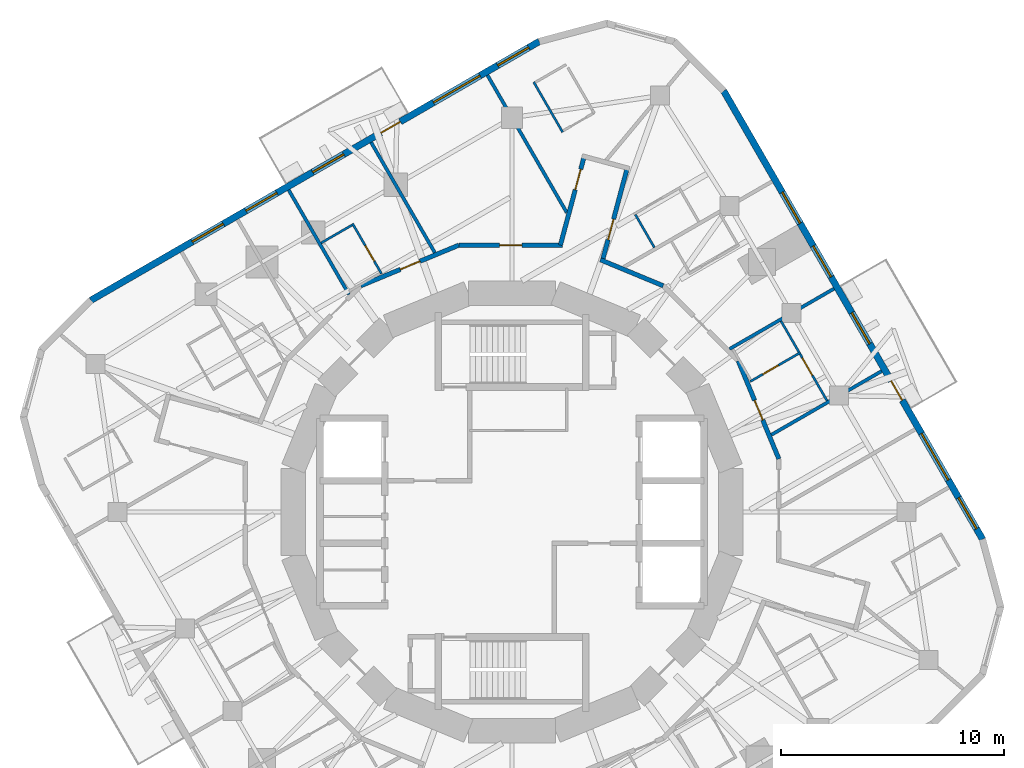
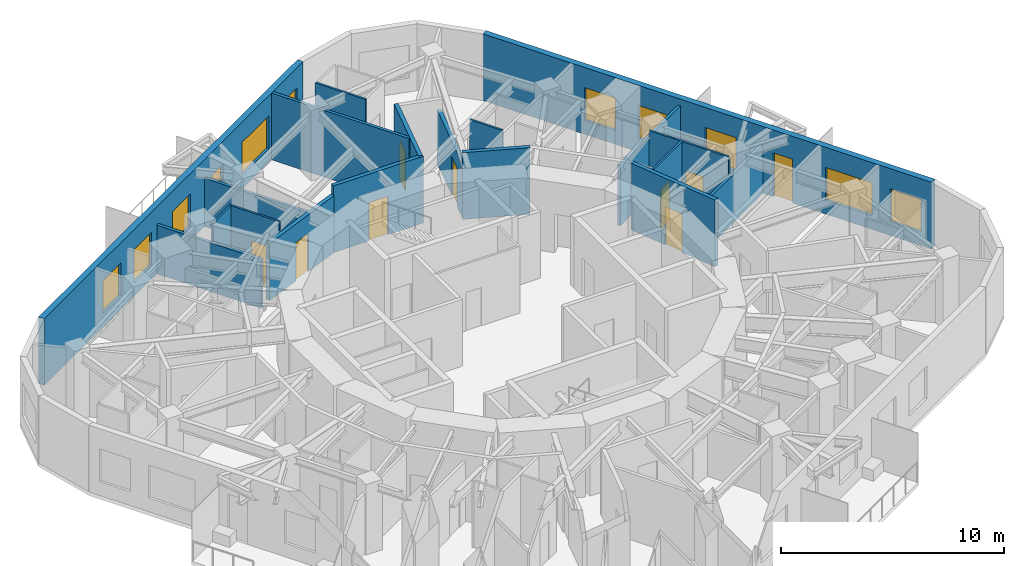
# One storey, part 8 of 11: 20 walls, 10 doors, 10 windows, 20 openings.
"""IFC4 building model written with IfcOpenShell, lengths in metres."""

from ifc_helpers import new_model, si_unit, direction, frame, frame_2d, origin, place, context, subcontext, project, spatial, rectangle, extrude, material, layer, layer_set, type_object, element, fill, save


model = new_model("IFC4")

# Units and contexts
model_context = context("Model", 3, precision=1e-05, world=origin(), true_north=direction((0.0, 1.0)))
body_context = subcontext(model_context, "Body", "Model", "MODEL_VIEW")
ifc_project = project(units=[si_unit("LENGTHUNIT", "METRE"), si_unit("AREAUNIT", "SQUARE_METRE"), si_unit("VOLUMEUNIT", "CUBIC_METRE"), si_unit("PLANEANGLEUNIT", "RADIAN"), si_unit("MASSUNIT", "GRAM", prefix="KILO")], contexts=[model_context])

# Site, building, storey
site_placement = place(None, origin())
site = spatial("IfcSite", under=ifc_project, at=site_placement, CompositionType="ELEMENT")
building_placement = place(site_placement, origin())
building = spatial("IfcBuilding", under=site, at=building_placement, Name="Nakasero Lantern House", CompositionType="ELEMENT")
storey_placement = place(building_placement, frame((0.0, 0.0, 246.199951171875)))
storey = spatial("IfcBuildingStorey", under=building, at=storey_placement, Name="L60", CompositionType="ELEMENT", Elevation=246.199951171875)

# Wall, opening, door
ifc_material_1 = material(Name="Blockwork", Category="masonry")
ifc_layer_1 = layer(ifc_material_1, 0.199951171875)
ifc_layer_set_1 = layer_set([ifc_layer_1], Name="Corridor wall 200")
wall_type_1 = type_object("IfcWallType", Name="Corridor wall 200", PredefinedType="PARTITIONING", material=ifc_layer_set_1)
wall_1_placement = place(storey_placement, frame((-6.773681640625, 10.137451171875, 0.0), z_axis=(0.0, 0.0, 1.0), x_axis=(0.923891735412, 0.382653970627, 0.0)))
wall_1 = element("IfcWall", 1, at=wall_1_placement, inside=storey, type_object=wall_type_1, Name="Corridor wall L60 RC11a", PredefinedType="PARTITIONING", context=body_context, shape_type="SweptSolid", body=[
    extrude(rectangle(XDim=4.757080078125, YDim=0.199951171875, at=frame_2d((2.37841796875, 0.0))), origin(), (0.0, 0.0, 1.0), 3.11328125),
])
opening_1_placement = place(wall_1_placement, frame((1.919921875, 0.0, 0.0)))
opening_1 = element("IfcOpeningElement", 2, at=opening_1_placement, cuts=wall_1, Name="Opening D01", PredefinedType="OPENING", context=body_context, shape_type="SweptSolid", body=[
    extrude(rectangle(XDim=0.949951171875, YDim=2.10009765625, at=frame_2d((0.47509765625, 1.050048828125))), frame((0.0, 0.119873046875, 0.0), z_axis=(0.0, -1.0, 0.0), x_axis=(1.0, 0.0, 0.0)), (0.0, 0.0, 1.0), 0.239990234375),
])
ifc_material_2 = material(Name="Timber C24", Category="wood")
door_type_1 = type_object("IfcDoorType", Name="Bedroom door FD30S 950", OperationType="SINGLE_SWING_LEFT", PredefinedType="DOOR", material=ifc_material_2)
door_1_placement = place(opening_1_placement, origin())
door_1 = element("IfcDoor", 3, at=door_1_placement, inside=storey, type_object=door_type_1, Name="Door L60 D1-03", OperationType="SINGLE_SWING_RIGHT", OverallHeight=2.10009765625, OverallWidth=0.949951171875, PredefinedType="DOOR", context=body_context, shape_type="SweptSolid", body=[
    extrude(rectangle(XDim=0.949951171875, YDim=2.10009765625, at=frame_2d((0.47509765625, 1.050048828125))), frame((0.0, 0.02490234375, 0.0), z_axis=(0.0, -1.0, 0.0), x_axis=(1.0, 0.0, 0.0)), (0.0, 0.0, 1.0), 0.050048828125),
])
fill(opening_1, door_1)

wall_2_placement = place(storey_placement, frame((-2.378662109375, 11.957763671875, 0.0), z_axis=(0.0, 0.0, 1.0), x_axis=(1.0, 0.0, 0.0)))
wall_2 = element("IfcWall", 4, at=wall_2_placement, inside=storey, type_object=wall_type_1, Name="Corridor wall L60 RC12a", PredefinedType="PARTITIONING", context=body_context, shape_type="SweptSolid", body=[
    extrude(rectangle(XDim=4.651123046875, YDim=0.199951171875, at=frame_2d((2.32568359375, 0.0))), origin(), (0.0, 0.0, 1.0), 3.650146484375),
])
opening_2_placement = place(wall_2_placement, frame((1.820068359375, 0.0, 0.0)))
opening_2 = element("IfcOpeningElement", 5, at=opening_2_placement, cuts=wall_2, Name="Opening D03", PredefinedType="OPENING", context=body_context, shape_type="SweptSolid", body=[
    extrude(rectangle(XDim=1.0, YDim=2.10009765625, at=frame_2d((0.5, 1.050048828125))), frame((0.0, 0.119873046875, 0.0), z_axis=(0.0, -1.0, 0.0), x_axis=(1.0, 0.0, 0.0)), (0.0, 0.0, 1.0), 0.239990234375),
])
ifc_material_3 = material(Name="Timber C24", Category="wood")
door_type_2 = type_object("IfcDoorType", Name="Lounge door FD30S 1000", OperationType="SINGLE_SWING_LEFT", PredefinedType="DOOR", material=ifc_material_3)
door_2_placement = place(opening_2_placement, origin())
door_2 = element("IfcDoor", 6, at=door_2_placement, inside=storey, type_object=door_type_2, Name="Door L60 DK1", OperationType="SINGLE_SWING_LEFT", OverallHeight=2.10009765625, OverallWidth=1.0, PredefinedType="DOOR", context=body_context, shape_type="SweptSolid", body=[
    extrude(rectangle(XDim=1.0, YDim=2.10009765625, at=frame_2d((0.5, 1.050048828125))), frame((0.0, 0.02490234375, 0.0), z_axis=(0.0, -1.0, 0.0), x_axis=(1.0, 0.0, 0.0)), (0.0, 0.0, 1.0), 0.050048828125),
])
fill(opening_2, door_2)

# Wall
wall_3_placement = place(storey_placement, frame((3.960205078125, 11.302734375, 0.0), z_axis=(0.0, 0.0, 1.0), x_axis=(0.923890787601, -0.382656259044, 0.0)))
element("IfcWall", 7, at=wall_3_placement, inside=storey, type_object=wall_type_1, Name="Corridor wall L60 RC13a", PredefinedType="PARTITIONING", context=body_context, shape_type="SweptSolid", body=[
    extrude(rectangle(XDim=3.045166015625, YDim=0.199951171875, at=frame_2d((1.5224609375, 0.0))), origin(), (0.0, 0.0, 1.0), 3.650146484375),
])

# Wall, opening, door
wall_4_placement = place(storey_placement, frame((10.137451171875, 6.773681640625, 0.0), z_axis=(0.0, 0.0, 1.0), x_axis=(0.382653970627, -0.923891735412, 0.0)))
wall_4 = element("IfcWall", 8, at=wall_4_placement, inside=storey, type_object=wall_type_1, Name="Corridor wall L60 RC15a", PredefinedType="PARTITIONING", context=body_context, shape_type="SweptSolid", body=[
    extrude(rectangle(XDim=4.757080078125, YDim=0.199951171875, at=frame_2d((2.37841796875, 0.0))), origin(), (0.0, 0.0, 1.0), 3.650146484375),
])
opening_3_placement = place(wall_4_placement, frame((1.919921875, 0.0, 0.0)))
opening_3 = element("IfcOpeningElement", 9, at=opening_3_placement, cuts=wall_4, Name="Opening D01", PredefinedType="OPENING", context=body_context, shape_type="SweptSolid", body=[
    extrude(rectangle(XDim=0.949951171875, YDim=2.10009765625, at=frame_2d((0.47509765625, 1.050048828125))), frame((0.0, 0.119873046875, 0.0), z_axis=(0.0, -1.0, 0.0), x_axis=(1.0, 0.0, 0.0)), (0.0, 0.0, 1.0), 0.239990234375),
])
door_3_placement = place(opening_3_placement, origin())
door_3 = element("IfcDoor", 10, at=door_3_placement, inside=storey, type_object=door_type_1, Name="Door L60 D0-03", OperationType="SINGLE_SWING_RIGHT", OverallHeight=2.10009765625, OverallWidth=0.949951171875, PredefinedType="DOOR", context=body_context, shape_type="SweptSolid", body=[
    extrude(rectangle(XDim=0.949951171875, YDim=2.10009765625, at=frame_2d((0.47509765625, 1.050048828125))), frame((0.0, 0.02490234375, 0.0), z_axis=(0.0, -1.0, 0.0), x_axis=(1.0, 0.0, 0.0)), (0.0, 0.0, 1.0), 0.050048828125),
])
fill(opening_3, door_3)

wall_5_placement = place(storey_placement, frame((4.053466796875, 11.26416015625, 0.0), z_axis=(0.0, 0.0, 1.0), x_axis=(0.258841611204, 0.965919779438, 0.0)))
wall_5 = element("IfcWall", 11, at=wall_5_placement, inside=storey, type_object=wall_type_1, Name="Corridor wall L60 SP0a", PredefinedType="PARTITIONING", context=body_context, shape_type="SweptSolid", body=[
    extrude(rectangle(XDim=4.394287109375, YDim=0.199951171875, at=frame_2d((2.197265625, 0.0))), origin(), (0.0, 0.0, 1.0), 2.95703125),
])
opening_4_placement = place(wall_5_placement, frame((0.969970703125, 0.0, 0.0)))
opening_4 = element("IfcOpeningElement", 12, at=opening_4_placement, cuts=wall_5, Name="Opening D01", PredefinedType="OPENING", context=body_context, shape_type="SweptSolid", body=[
    extrude(rectangle(XDim=0.949951171875, YDim=2.10009765625, at=frame_2d((0.47509765625, 1.050048828125))), frame((0.0, 0.119873046875, 0.0), z_axis=(0.0, -1.0, 0.0), x_axis=(1.0, 0.0, 0.0)), (0.0, 0.0, 1.0), 0.239990234375),
])
door_4_placement = place(opening_4_placement, origin())
door_4 = element("IfcDoor", 13, at=door_4_placement, inside=storey, type_object=door_type_1, Name="Door L60 D0-06", OperationType="SINGLE_SWING_LEFT", OverallHeight=2.10009765625, OverallWidth=0.949951171875, PredefinedType="DOOR", context=body_context, shape_type="SweptSolid", body=[
    extrude(rectangle(XDim=0.949951171875, YDim=2.10009765625, at=frame_2d((0.47509765625, 1.050048828125))), frame((0.0, 0.02490234375, 0.0), z_axis=(0.0, -1.0, 0.0), x_axis=(1.0, 0.0, 0.0)), (0.0, 0.0, 1.0), 0.050048828125),
])
fill(opening_4, door_4)

wall_6_placement = place(storey_placement, frame((2.168701171875, 11.957763671875, 0.0), z_axis=(0.0, 0.0, 1.0), x_axis=(0.258852936168, 0.965916744568, 0.0)))
wall_6 = element("IfcWall", 14, at=wall_6_placement, inside=storey, type_object=wall_type_1, Name="Corridor wall L60 SP0b", PredefinedType="PARTITIONING", context=body_context, shape_type="SweptSolid", body=[
    extrude(rectangle(XDim=4.212158203125, YDim=0.199951171875, at=frame_2d((2.10595703125, 0.0))), origin(), (0.0, 0.0, 1.0), 3.650146484375),
])
opening_5_placement = place(wall_6_placement, frame((2.570068359375, 0.0, 0.0)))
opening_5 = element("IfcOpeningElement", 15, at=opening_5_placement, cuts=wall_6, Name="Opening D01", PredefinedType="OPENING", context=body_context, shape_type="SweptSolid", body=[
    extrude(rectangle(XDim=0.949951171875, YDim=2.10009765625, at=frame_2d((0.47509765625, 1.050048828125))), frame((0.0, 0.119873046875, 0.0), z_axis=(0.0, -1.0, 0.0), x_axis=(1.0, 0.0, 0.0)), (0.0, 0.0, 1.0), 0.239990234375),
])
door_5_placement = place(opening_5_placement, origin())
door_5 = element("IfcDoor", 16, at=door_5_placement, inside=storey, type_object=door_type_1, Name="Door L60 D1-00", OperationType="SINGLE_SWING_RIGHT", OverallHeight=2.10009765625, OverallWidth=0.949951171875, PredefinedType="DOOR", context=body_context, shape_type="SweptSolid", body=[
    extrude(rectangle(XDim=0.949951171875, YDim=2.10009765625, at=frame_2d((0.47509765625, 1.050048828125))), frame((0.0, 0.02490234375, 0.0), z_axis=(0.0, -1.0, 0.0), x_axis=(1.0, 0.0, 0.0)), (0.0, 0.0, 1.0), 0.050048828125),
])
fill(opening_5, door_5)

ifc_material_4 = material(Name="Blockwork", Category="masonry")
ifc_layer_2 = layer(ifc_material_4, 0.10009765625)
ifc_layer_set_2 = layer_set([ifc_layer_2], Name="En-suite wall 100")
wall_type_2 = type_object("IfcWallType", Name="En-suite wall 100", PredefinedType="PARTITIONING", material=ifc_layer_set_2)
wall_7_placement = place(storey_placement, frame((10.674560546875, 5.846435546875, 0.0), z_axis=(0.0, 0.0, 1.0), x_axis=(0.866021400173, 0.500006934395, 0.0)))
wall_7 = element("IfcWall", 17, at=wall_7_placement, inside=storey, type_object=wall_type_2, Name="En-suite wall L60 ES0-03", PredefinedType="PARTITIONING", context=body_context, shape_type="SweptSolid", body=[
    extrude(rectangle(XDim=2.60009765625, YDim=0.10009765625, at=frame_2d((1.300048828125, 0.0))), origin(), (0.0, 0.0, 1.0), 3.650146484375),
])
opening_6_placement = place(wall_7_placement, frame((0.64990234375, 0.0, 0.0)))
opening_6 = element("IfcOpeningElement", 18, at=opening_6_placement, cuts=wall_7, Name="Opening D02", PredefinedType="OPENING", context=body_context, shape_type="SweptSolid", body=[
    extrude(rectangle(XDim=0.800048828125, YDim=2.10009765625, at=frame_2d((0.39990234375, 1.050048828125))), frame((0.0, 0.070068359375, 0.0), z_axis=(0.0, -1.0, 0.0), x_axis=(1.0, 0.0, 0.0)), (0.0, 0.0, 1.0), 0.14013671875),
])
ifc_material_5 = material(Name="Timber C24", Category="wood")
door_type_3 = type_object("IfcDoorType", Name="En-suite door 800", OperationType="SINGLE_SWING_RIGHT", PredefinedType="DOOR", material=ifc_material_5)
door_6_placement = place(opening_6_placement, origin())
door_6 = element("IfcDoor", 19, at=door_6_placement, inside=storey, type_object=door_type_3, Name="Door L60 DE0-03", OperationType="SINGLE_SWING_LEFT", OverallHeight=2.10009765625, OverallWidth=0.800048828125, PredefinedType="DOOR", context=body_context, shape_type="SweptSolid", body=[
    extrude(rectangle(XDim=0.800048828125, YDim=2.10009765625, at=frame_2d((0.39990234375, 1.050048828125))), frame((0.0, 0.02490234375, 0.0), z_axis=(0.0, -1.0, 0.0), x_axis=(1.0, 0.0, 0.0)), (0.0, 0.0, 1.0), 0.050048828125),
])
fill(opening_6, door_6)

# Walls
wall_8_placement = place(storey_placement, frame((12.85791015625, 7.164794921875, 0.0), z_axis=(0.0, 0.0, 1.0), x_axis=(-0.499880961361, 0.866094119867, 0.0)))
element("IfcWall", 20, at=wall_8_placement, inside=storey, type_object=wall_type_2, Name="En-suite wall L60 EE0-03", PredefinedType="PARTITIONING", context=body_context, shape_type="SweptSolid", body=[
    extrude(rectangle(XDim=1.60009765625, YDim=0.10009765625, at=frame_2d((0.800048828125, 0.0))), origin(), (0.0, 0.0, 1.0), 3.650146484375),
])
wall_9_placement = place(storey_placement, frame((6.37890625, 11.8515625, 0.0), z_axis=(0.0, 0.0, 1.0), x_axis=(-0.500062241894, 0.865989465428, 0.0)))
element("IfcWall", 21, at=wall_9_placement, inside=storey, type_object=wall_type_2, Name="En-suite wall L60 EI0-06", PredefinedType="PARTITIONING", context=body_context, shape_type="SweptSolid", body=[
    extrude(rectangle(XDim=1.699951171875, YDim=0.10009765625, at=frame_2d((0.85009765625, 0.0))), origin(), (0.0, 0.0, 1.0), 3.650146484375),
])
wall_10_placement = place(storey_placement, frame((2.271728515625, 17.015380859375, 0.0), z_axis=(0.0, 0.0, 1.0), x_axis=(-0.500006934395, 0.866021400173, 0.0)))
element("IfcWall", 22, at=wall_10_placement, inside=storey, type_object=wall_type_2, Name="En-suite wall L60 ES1-00", PredefinedType="PARTITIONING", context=body_context, shape_type="SweptSolid", body=[
    extrude(rectangle(XDim=2.60009765625, YDim=0.10009765625, at=frame_2d((1.300048828125, 0.0))), origin(), (0.0, 0.0, 1.0), 3.650146484375),
])

# Wall, opening, door
wall_11_placement = place(storey_placement, frame((-5.846435546875, 10.674560546875, 0.0), z_axis=(0.0, 0.0, 1.0), x_axis=(-0.500006934395, 0.866021400173, 0.0)))
wall_11 = element("IfcWall", 23, at=wall_11_placement, inside=storey, type_object=wall_type_2, Name="En-suite wall L60 ES1-03", PredefinedType="PARTITIONING", context=body_context, shape_type="SweptSolid", body=[
    extrude(rectangle(XDim=2.60009765625, YDim=0.10009765625, at=frame_2d((1.300048828125, 0.0))), origin(), (0.0, 0.0, 1.0), 3.650146484375),
])
opening_7_placement = place(wall_11_placement, frame((0.64990234375, 0.0, 0.0)))
opening_7 = element("IfcOpeningElement", 24, at=opening_7_placement, cuts=wall_11, Name="Opening D02", PredefinedType="OPENING", context=body_context, shape_type="SweptSolid", body=[
    extrude(rectangle(XDim=0.800048828125, YDim=2.10009765625, at=frame_2d((0.39990234375, 1.050048828125))), frame((0.0, 0.070068359375, 0.0), z_axis=(0.0, -1.0, 0.0), x_axis=(1.0, 0.0, 0.0)), (0.0, 0.0, 1.0), 0.14013671875),
])
door_7_placement = place(opening_7_placement, origin())
door_7 = element("IfcDoor", 25, at=door_7_placement, inside=storey, type_object=door_type_3, Name="Door L60 DE1-03", OperationType="SINGLE_SWING_LEFT", OverallHeight=2.10009765625, OverallWidth=0.800048828125, PredefinedType="DOOR", context=body_context, shape_type="SweptSolid", body=[
    extrude(rectangle(XDim=0.800048828125, YDim=2.10009765625, at=frame_2d((0.39990234375, 1.050048828125))), frame((0.0, 0.02490234375, 0.0), z_axis=(0.0, -1.0, 0.0), x_axis=(1.0, 0.0, 0.0)), (0.0, 0.0, 1.0), 0.050048828125),
])
fill(opening_7, door_7)

# Wall
wall_12_placement = place(storey_placement, frame((-7.164794921875, 12.85791015625, 0.0), z_axis=(0.0, 0.0, 1.0), x_axis=(-0.866094119867, -0.499880961361, 0.0)))
element("IfcWall", 26, at=wall_12_placement, inside=storey, type_object=wall_type_2, Name="En-suite wall L60 EE1-03", PredefinedType="PARTITIONING", context=body_context, shape_type="SweptSolid", body=[
    extrude(rectangle(XDim=1.60009765625, YDim=0.10009765625, at=frame_2d((0.800048828125, 0.0))), origin(), (0.0, 0.0, 1.0), 3.650146484375),
])

# Wall, opening, door
wall_13_placement = place(storey_placement, frame((14.1162109375, 4.985595703125, 0.0), z_axis=(0.0, 0.0, 1.0), x_axis=(-0.500040226184, 0.86600217794, 0.0)))
wall_13 = element("IfcWall", 27, at=wall_13_placement, inside=storey, type_object=wall_type_2, Name="En-suite wall L60 EL0-03", PredefinedType="PARTITIONING", context=body_context, shape_type="SweptSolid", body=[
    extrude(rectangle(XDim=2.416259765625, YDim=0.10009765625, at=frame_2d((1.2080078125, 0.0))), origin(), (0.0, 0.0, 1.0), 3.650146484375),
])
opening_8_placement = place(wall_13_placement, frame((1.31640625, 0.0, 0.0)))
opening_8 = element("IfcOpeningElement", 28, at=opening_8_placement, cuts=wall_13, Name="Opening D17", PredefinedType="OPENING", context=body_context, shape_type="SweptSolid", body=[
    extrude(rectangle(XDim=0.89990234375, YDim=2.10009765625, at=frame_2d((0.449951171875, 1.050048828125))), frame((0.0, 0.070068359375, 0.0), z_axis=(0.0, -1.0, 0.0), x_axis=(1.0, 0.0, 0.0)), (0.0, 0.0, 1.0), 0.14013671875),
])
ifc_material_6 = material(Name="Timber C24", Category="wood")
door_type_4 = type_object("IfcDoorType", Name="Bedroom door FD30S 900", OperationType="SINGLE_SWING_LEFT", PredefinedType="DOOR", material=ifc_material_6)
door_8_placement = place(opening_8_placement, origin())
door_8 = element("IfcDoor", 29, at=door_8_placement, inside=storey, type_object=door_type_4, Name="Door L60 DL0-03", OperationType="SINGLE_SWING_RIGHT", OverallHeight=2.10009765625, OverallWidth=0.89990234375, PredefinedType="DOOR", context=body_context, shape_type="SweptSolid", body=[
    extrude(rectangle(XDim=0.89990234375, YDim=2.10009765625, at=frame_2d((0.449951171875, 1.050048828125))), frame((0.0, 0.02490234375, 0.0), z_axis=(0.0, -1.0, 0.0), x_axis=(1.0, 0.0, 0.0)), (0.0, 0.0, 1.0), 0.050048828125),
])
fill(opening_8, door_8)

# Wall, openings, door, windows
ifc_material_7 = material(Name="Aluminium rainscreen on blockwork", Category="masonry")
ifc_layer_3 = layer(ifc_material_7, 0.300048828125)
ifc_layer_set_3 = layer_set([ifc_layer_3], Name="Facade wall 300")
wall_type_3 = type_object("IfcWallType", Name="Facade wall 300", PredefinedType="SOLIDWALL", material=ifc_layer_set_3)
wall_14_placement = place(storey_placement, frame((21.08544921875, -1.220947265625, 0.0), z_axis=(0.0, 0.0, 1.0), x_axis=(-0.500003016864, 0.86602366199, 0.0)))
wall_14 = element("IfcWall", 30, at=wall_14_placement, inside=storey, type_object=wall_type_3, Name="Facade wall L60 FW0S", PredefinedType="SOLIDWALL", context=body_context, shape_type="SweptSolid", body=[
    extrude(rectangle(XDim=23.199951171875, YDim=0.300048828125, at=frame_2d((11.60009765625, 0.0))), origin(), (0.0, 0.0, 1.0), 3.650146484375),
])
opening_9_placement = place(wall_14_placement, frame((0.5458984375, 0.0, 0.75)))
opening_9 = element("IfcOpeningElement", 31, at=opening_9_placement, cuts=wall_14, Name="Opening W01", PredefinedType="OPENING", context=body_context, shape_type="SweptSolid", body=[
    extrude(rectangle(XDim=1.60009765625, YDim=1.800048828125, at=frame_2d((0.800048828125, 0.89990234375))), frame((0.0, 0.169921875, 0.0), z_axis=(0.0, -1.0, 0.0), x_axis=(1.0, 0.0, 0.0)), (0.0, 0.0, 1.0), 0.340087890625),
])
opening_10_placement = place(wall_14_placement, frame((10.11767578125, 0.0, 0.75)))
opening_10 = element("IfcOpeningElement", 32, at=opening_10_placement, cuts=wall_14, Name="Opening W01", PredefinedType="OPENING", context=body_context, shape_type="SweptSolid", body=[
    extrude(rectangle(XDim=1.60009765625, YDim=1.800048828125, at=frame_2d((0.800048828125, 0.89990234375))), frame((0.0, 0.169921875, 0.0), z_axis=(0.0, -1.0, 0.0), x_axis=(1.0, 0.0, 0.0)), (0.0, 0.0, 1.0), 0.340087890625),
])
opening_11_placement = place(wall_14_placement, frame((13.5751953125, 0.0, 0.75)))
opening_11 = element("IfcOpeningElement", 33, at=opening_11_placement, cuts=wall_14, Name="Opening W01", PredefinedType="OPENING", context=body_context, shape_type="SweptSolid", body=[
    extrude(rectangle(XDim=1.60009765625, YDim=1.800048828125, at=frame_2d((0.800048828125, 0.89990234375))), frame((0.0, 0.169921875, 0.0), z_axis=(0.0, -1.0, 0.0), x_axis=(1.0, 0.0, 0.0)), (0.0, 0.0, 1.0), 0.340087890625),
])
opening_12_placement = place(wall_14_placement, frame((16.349609375, 0.0, 0.75)))
opening_12 = element("IfcOpeningElement", 34, at=opening_12_placement, cuts=wall_14, Name="Opening W01", PredefinedType="OPENING", context=body_context, shape_type="SweptSolid", body=[
    extrude(rectangle(XDim=1.60009765625, YDim=1.800048828125, at=frame_2d((0.800048828125, 0.89990234375))), frame((0.0, 0.169921875, 0.0), z_axis=(0.0, -1.0, 0.0), x_axis=(1.0, 0.0, 0.0)), (0.0, 0.0, 1.0), 0.340087890625),
])
opening_13_placement = place(wall_14_placement, frame((3.071044921875, 0.0, 0.75)))
opening_13 = element("IfcOpeningElement", 35, at=opening_13_placement, cuts=wall_14, Name="Opening W03", PredefinedType="OPENING", context=body_context, shape_type="SweptSolid", body=[
    extrude(rectangle(XDim=2.39990234375, YDim=1.800048828125, at=frame_2d((1.199951171875, 0.89990234375))), frame((0.0, 0.169921875, 0.0), z_axis=(0.0, -1.0, 0.0), x_axis=(1.0, 0.0, 0.0)), (0.0, 0.0, 1.0), 0.340087890625),
])
opening_14_placement = place(wall_14_placement, frame((7.1904296875, 0.0, 0.0)))
opening_14 = element("IfcOpeningElement", 36, at=opening_14_placement, cuts=wall_14, Name="Opening D04", PredefinedType="OPENING", context=body_context, shape_type="SweptSolid", body=[
    extrude(rectangle(XDim=1.0, YDim=2.39990234375, at=frame_2d((0.5, 1.199951171875))), frame((0.0, 0.169921875, 0.0), z_axis=(0.0, -1.0, 0.0), x_axis=(1.0, 0.0, 0.0)), (0.0, 0.0, 1.0), 0.340087890625),
])
ifc_material_8 = material(Name="Aluminium 6063-T6 and glass", Category="aluminium")
door_type_5 = type_object("IfcDoorType", Name="Balcony door 1000x2400", OperationType="SINGLE_SWING_RIGHT", PredefinedType="DOOR", material=ifc_material_8)
door_9_placement = place(opening_14_placement, origin())
door_9 = element("IfcDoor", 37, at=door_9_placement, inside=storey, type_object=door_type_5, Name="Balcony door L60 DB0", OperationType="SINGLE_SWING_RIGHT", OverallHeight=2.39990234375, OverallWidth=1.0, PredefinedType="DOOR", context=body_context, shape_type="SweptSolid", body=[
    extrude(rectangle(XDim=1.0, YDim=2.39990234375, at=frame_2d((0.5, 1.199951171875))), frame((0.0, 0.02490234375, 0.0), z_axis=(0.0, -1.0, 0.0), x_axis=(1.0, 0.0, 0.0)), (0.0, 0.0, 1.0), 0.050048828125),
])
fill(opening_14, door_9)
ifc_material_9 = material(Name="Aluminium 6063-T6 and glass", Category="aluminium")
window_type_1 = type_object("IfcWindowType", Name="Bedroom window 1600x1800", PartitioningType="SINGLE_PANEL", PredefinedType="WINDOW", material=ifc_material_9)
window_1_placement = place(opening_9_placement, origin())
window_1 = element("IfcWindow", 38, at=window_1_placement, inside=storey, type_object=window_type_1, Name="Window L60 WN0-00", OverallHeight=1.800048828125, OverallWidth=1.60009765625, PartitioningType="SINGLE_PANEL", PredefinedType="WINDOW", context=body_context, shape_type="SweptSolid", body=[
    extrude(rectangle(XDim=1.60009765625, YDim=1.800048828125, at=frame_2d((0.800048828125, 0.89990234375))), frame((0.0, 0.030029296875, 0.0), z_axis=(0.0, -1.0, 0.0), x_axis=(1.0, 0.0, 0.0)), (0.0, 0.0, 1.0), 0.06005859375),
])
fill(opening_9, window_1)
window_2_placement = place(opening_10_placement, origin())
window_2 = element("IfcWindow", 39, at=window_2_placement, inside=storey, type_object=window_type_1, Name="Window L60 WN0-03", OverallHeight=1.800048828125, OverallWidth=1.60009765625, PartitioningType="SINGLE_PANEL", PredefinedType="WINDOW", context=body_context, shape_type="SweptSolid", body=[
    extrude(rectangle(XDim=1.60009765625, YDim=1.800048828125, at=frame_2d((0.800048828125, 0.89990234375))), frame((0.0, 0.030029296875, 0.0), z_axis=(0.0, -1.0, 0.0), x_axis=(1.0, 0.0, 0.0)), (0.0, 0.0, 1.0), 0.06005859375),
])
fill(opening_10, window_2)
window_3_placement = place(opening_11_placement, origin())
window_3 = element("IfcWindow", 40, at=window_3_placement, inside=storey, type_object=window_type_1, Name="Window L60 WN0-04", OverallHeight=1.800048828125, OverallWidth=1.60009765625, PartitioningType="SINGLE_PANEL", PredefinedType="WINDOW", context=body_context, shape_type="SweptSolid", body=[
    extrude(rectangle(XDim=1.60009765625, YDim=1.800048828125, at=frame_2d((0.800048828125, 0.89990234375))), frame((0.0, 0.030029296875, 0.0), z_axis=(0.0, -1.0, 0.0), x_axis=(1.0, 0.0, 0.0)), (0.0, 0.0, 1.0), 0.06005859375),
])
fill(opening_11, window_3)
window_4_placement = place(opening_12_placement, origin())
window_4 = element("IfcWindow", 41, at=window_4_placement, inside=storey, type_object=window_type_1, Name="Window L60 WN0-05", OverallHeight=1.800048828125, OverallWidth=1.60009765625, PartitioningType="SINGLE_PANEL", PredefinedType="WINDOW", context=body_context, shape_type="SweptSolid", body=[
    extrude(rectangle(XDim=1.60009765625, YDim=1.800048828125, at=frame_2d((0.800048828125, 0.89990234375))), frame((0.0, 0.030029296875, 0.0), z_axis=(0.0, -1.0, 0.0), x_axis=(1.0, 0.0, 0.0)), (0.0, 0.0, 1.0), 0.06005859375),
])
fill(opening_12, window_4)
ifc_material_10 = material(Name="Aluminium 6063-T6 and glass", Category="aluminium")
window_type_2 = type_object("IfcWindowType", Name="Lounge window 2400x1800", PartitioningType="SINGLE_PANEL", PredefinedType="WINDOW", material=ifc_material_10)
window_5_placement = place(opening_13_placement, origin())
window_5 = element("IfcWindow", 42, at=window_5_placement, inside=storey, type_object=window_type_2, Name="Window L60 WK0", OverallHeight=1.800048828125, OverallWidth=2.39990234375, PartitioningType="SINGLE_PANEL", PredefinedType="WINDOW", context=body_context, shape_type="SweptSolid", body=[
    extrude(rectangle(XDim=2.39990234375, YDim=1.800048828125, at=frame_2d((1.199951171875, 0.89990234375))), frame((0.0, 0.030029296875, 0.0), z_axis=(0.0, -1.0, 0.0), x_axis=(1.0, 0.0, 0.0)), (0.0, 0.0, 1.0), 0.06005859375),
])
fill(opening_13, window_5)

wall_15_placement = place(storey_placement, frame((1.220947265625, 21.08544921875, 0.0), z_axis=(0.0, 0.0, 1.0), x_axis=(-0.86602366199, -0.500003016864, 0.0)))
wall_15 = element("IfcWall", 43, at=wall_15_placement, inside=storey, type_object=wall_type_3, Name="Facade wall L60 FW1S", PredefinedType="SOLIDWALL", context=body_context, shape_type="SweptSolid", body=[
    extrude(rectangle(XDim=23.199951171875, YDim=0.300048828125, at=frame_2d((11.60009765625, 0.0))), origin(), (0.0, 0.0, 1.0), 3.650146484375),
])
opening_15_placement = place(wall_15_placement, frame((0.5458984375, 0.0, 0.75)))
opening_15 = element("IfcOpeningElement", 44, at=opening_15_placement, cuts=wall_15, Name="Opening W01", PredefinedType="OPENING", context=body_context, shape_type="SweptSolid", body=[
    extrude(rectangle(XDim=1.60009765625, YDim=1.800048828125, at=frame_2d((0.800048828125, 0.89990234375))), frame((0.0, 0.169921875, 0.0), z_axis=(0.0, -1.0, 0.0), x_axis=(1.0, 0.0, 0.0)), (0.0, 0.0, 1.0), 0.340087890625),
])
opening_16_placement = place(wall_15_placement, frame((10.11767578125, 0.0, 0.75)))
opening_16 = element("IfcOpeningElement", 45, at=opening_16_placement, cuts=wall_15, Name="Opening W01", PredefinedType="OPENING", context=body_context, shape_type="SweptSolid", body=[
    extrude(rectangle(XDim=1.60009765625, YDim=1.800048828125, at=frame_2d((0.800048828125, 0.89990234375))), frame((0.0, 0.169921875, 0.0), z_axis=(0.0, -1.0, 0.0), x_axis=(1.0, 0.0, 0.0)), (0.0, 0.0, 1.0), 0.340087890625),
])
opening_17_placement = place(wall_15_placement, frame((13.5751953125, 0.0, 0.75)))
opening_17 = element("IfcOpeningElement", 46, at=opening_17_placement, cuts=wall_15, Name="Opening W01", PredefinedType="OPENING", context=body_context, shape_type="SweptSolid", body=[
    extrude(rectangle(XDim=1.60009765625, YDim=1.800048828125, at=frame_2d((0.800048828125, 0.89990234375))), frame((0.0, 0.169921875, 0.0), z_axis=(0.0, -1.0, 0.0), x_axis=(1.0, 0.0, 0.0)), (0.0, 0.0, 1.0), 0.340087890625),
])
opening_18_placement = place(wall_15_placement, frame((16.349609375, 0.0, 0.75)))
opening_18 = element("IfcOpeningElement", 47, at=opening_18_placement, cuts=wall_15, Name="Opening W01", PredefinedType="OPENING", context=body_context, shape_type="SweptSolid", body=[
    extrude(rectangle(XDim=1.60009765625, YDim=1.800048828125, at=frame_2d((0.800048828125, 0.89990234375))), frame((0.0, 0.169921875, 0.0), z_axis=(0.0, -1.0, 0.0), x_axis=(1.0, 0.0, 0.0)), (0.0, 0.0, 1.0), 0.340087890625),
])
opening_19_placement = place(wall_15_placement, frame((3.071044921875, 0.0, 0.75)))
opening_19 = element("IfcOpeningElement", 48, at=opening_19_placement, cuts=wall_15, Name="Opening W03", PredefinedType="OPENING", context=body_context, shape_type="SweptSolid", body=[
    extrude(rectangle(XDim=2.39990234375, YDim=1.800048828125, at=frame_2d((1.199951171875, 0.89990234375))), frame((0.0, 0.169921875, 0.0), z_axis=(0.0, -1.0, 0.0), x_axis=(1.0, 0.0, 0.0)), (0.0, 0.0, 1.0), 0.340087890625),
])
opening_20_placement = place(wall_15_placement, frame((7.1904296875, 0.0, 0.0)))
opening_20 = element("IfcOpeningElement", 49, at=opening_20_placement, cuts=wall_15, Name="Opening D04", PredefinedType="OPENING", context=body_context, shape_type="SweptSolid", body=[
    extrude(rectangle(XDim=1.0, YDim=2.39990234375, at=frame_2d((0.5, 1.199951171875))), frame((0.0, 0.169921875, 0.0), z_axis=(0.0, -1.0, 0.0), x_axis=(1.0, 0.0, 0.0)), (0.0, 0.0, 1.0), 0.340087890625),
])
door_10_placement = place(opening_20_placement, origin())
door_10 = element("IfcDoor", 50, at=door_10_placement, inside=storey, type_object=door_type_5, Name="Balcony door L60 DB1", OperationType="SINGLE_SWING_RIGHT", OverallHeight=2.39990234375, OverallWidth=1.0, PredefinedType="DOOR", context=body_context, shape_type="SweptSolid", body=[
    extrude(rectangle(XDim=1.0, YDim=2.39990234375, at=frame_2d((0.5, 1.199951171875))), frame((0.0, 0.02490234375, 0.0), z_axis=(0.0, -1.0, 0.0), x_axis=(1.0, 0.0, 0.0)), (0.0, 0.0, 1.0), 0.050048828125),
])
fill(opening_20, door_10)
window_6_placement = place(opening_15_placement, origin())
window_6 = element("IfcWindow", 51, at=window_6_placement, inside=storey, type_object=window_type_1, Name="Window L60 WN1-00", OverallHeight=1.800048828125, OverallWidth=1.60009765625, PartitioningType="SINGLE_PANEL", PredefinedType="WINDOW", context=body_context, shape_type="SweptSolid", body=[
    extrude(rectangle(XDim=1.60009765625, YDim=1.800048828125, at=frame_2d((0.800048828125, 0.89990234375))), frame((0.0, 0.030029296875, 0.0), z_axis=(0.0, -1.0, 0.0), x_axis=(1.0, 0.0, 0.0)), (0.0, 0.0, 1.0), 0.06005859375),
])
fill(opening_15, window_6)
window_7_placement = place(opening_16_placement, origin())
window_7 = element("IfcWindow", 52, at=window_7_placement, inside=storey, type_object=window_type_1, Name="Window L60 WN1-03", OverallHeight=1.800048828125, OverallWidth=1.60009765625, PartitioningType="SINGLE_PANEL", PredefinedType="WINDOW", context=body_context, shape_type="SweptSolid", body=[
    extrude(rectangle(XDim=1.60009765625, YDim=1.800048828125, at=frame_2d((0.800048828125, 0.89990234375))), frame((0.0, 0.030029296875, 0.0), z_axis=(0.0, -1.0, 0.0), x_axis=(1.0, 0.0, 0.0)), (0.0, 0.0, 1.0), 0.06005859375),
])
fill(opening_16, window_7)
window_8_placement = place(opening_17_placement, origin())
window_8 = element("IfcWindow", 53, at=window_8_placement, inside=storey, type_object=window_type_1, Name="Window L60 WN1-04", OverallHeight=1.800048828125, OverallWidth=1.60009765625, PartitioningType="SINGLE_PANEL", PredefinedType="WINDOW", context=body_context, shape_type="SweptSolid", body=[
    extrude(rectangle(XDim=1.60009765625, YDim=1.800048828125, at=frame_2d((0.800048828125, 0.89990234375))), frame((0.0, 0.030029296875, 0.0), z_axis=(0.0, -1.0, 0.0), x_axis=(1.0, 0.0, 0.0)), (0.0, 0.0, 1.0), 0.06005859375),
])
fill(opening_17, window_8)
window_9_placement = place(opening_18_placement, origin())
window_9 = element("IfcWindow", 54, at=window_9_placement, inside=storey, type_object=window_type_1, Name="Window L60 WN1-05", OverallHeight=1.800048828125, OverallWidth=1.60009765625, PartitioningType="SINGLE_PANEL", PredefinedType="WINDOW", context=body_context, shape_type="SweptSolid", body=[
    extrude(rectangle(XDim=1.60009765625, YDim=1.800048828125, at=frame_2d((0.800048828125, 0.89990234375))), frame((0.0, 0.030029296875, 0.0), z_axis=(0.0, -1.0, 0.0), x_axis=(1.0, 0.0, 0.0)), (0.0, 0.0, 1.0), 0.06005859375),
])
fill(opening_18, window_9)
window_10_placement = place(opening_19_placement, origin())
window_10 = element("IfcWindow", 55, at=window_10_placement, inside=storey, type_object=window_type_2, Name="Window L60 WK1", OverallHeight=1.800048828125, OverallWidth=2.39990234375, PartitioningType="SINGLE_PANEL", PredefinedType="WINDOW", context=body_context, shape_type="SweptSolid", body=[
    extrude(rectangle(XDim=2.39990234375, YDim=1.800048828125, at=frame_2d((1.199951171875, 0.89990234375))), frame((0.0, 0.030029296875, 0.0), z_axis=(0.0, -1.0, 0.0), x_axis=(1.0, 0.0, 0.0)), (0.0, 0.0, 1.0), 0.06005859375),
])
fill(opening_19, window_10)

# Walls
ifc_material_11 = material(Name="Blockwork", Category="masonry")
ifc_layer_4 = layer(ifc_material_11, 0.14990234375)
ifc_layer_set_4 = layer_set([ifc_layer_4], Name="Party wall 150")
wall_type_4 = type_object("IfcWallType", Name="Party wall 150", PredefinedType="PARTITIONING", material=ifc_layer_set_4)
wall_16_placement = place(storey_placement, frame((11.619140625, 3.457275390625, 0.0), z_axis=(0.0, 0.0, 1.0), x_axis=(0.866023927955, 0.500002556202, 0.0)))
element("IfcWall", 56, at=wall_16_placement, inside=storey, type_object=wall_type_4, Name="Party wall L60 PW0-03", PredefinedType="PARTITIONING", context=body_context, shape_type="SweptSolid", body=[
    extrude(rectangle(XDim=5.708984375, YDim=0.14990234375, at=frame_2d((2.8544921875, 0.0))), origin(), (0.0, 0.0, 1.0), 2.641845703125),
])
wall_17_placement = place(storey_placement, frame((9.748779296875, 7.3037109375, 0.0), z_axis=(0.0, 0.0, 1.0), x_axis=(0.86600807666, 0.500030010259, 0.0)))
element("IfcWall", 57, at=wall_17_placement, inside=storey, type_object=wall_type_4, Name="Party wall L60 PW0-04", PredefinedType="PARTITIONING", context=body_context, shape_type="SweptSolid", body=[
    extrude(rectangle(XDim=5.405517578125, YDim=0.14990234375, at=frame_2d((2.70263671875, 0.0))), origin(), (0.0, 0.0, 1.0), 3.295166015625),
])
wall_18_placement = place(storey_placement, frame((2.45556640625, 13.4140625, 0.0), z_axis=(0.0, 0.0, 1.0), x_axis=(-0.500023607337, 0.866011773653, 0.0)))
element("IfcWall", 58, at=wall_18_placement, inside=storey, type_object=wall_type_4, Name="Party wall L60 PW1-01", PredefinedType="PARTITIONING", context=body_context, shape_type="SweptSolid", body=[
    extrude(rectangle(XDim=7.111083984375, YDim=0.14990234375, at=frame_2d((3.5556640625, 0.0))), origin(), (0.0, 0.0, 1.0), 3.650146484375),
])
wall_19_placement = place(storey_placement, frame((-3.457275390625, 11.619140625, 0.0), z_axis=(0.0, 0.0, 1.0), x_axis=(-0.500002556202, 0.866023927955, 0.0)))
element("IfcWall", 59, at=wall_19_placement, inside=storey, type_object=wall_type_4, Name="Party wall L60 PW1-03", PredefinedType="PARTITIONING", context=body_context, shape_type="SweptSolid", body=[
    extrude(rectangle(XDim=5.708984375, YDim=0.14990234375, at=frame_2d((2.8544921875, 0.0))), origin(), (0.0, 0.0, 1.0), 2.641845703125),
])
wall_20_placement = place(storey_placement, frame((-7.3037109375, 9.748779296875, 0.0), z_axis=(0.0, 0.0, 1.0), x_axis=(-0.500030010259, 0.86600807666, 0.0)))
element("IfcWall", 60, at=wall_20_placement, inside=storey, type_object=wall_type_4, Name="Party wall L60 PW1-04", PredefinedType="PARTITIONING", context=body_context, shape_type="SweptSolid", body=[
    extrude(rectangle(XDim=5.405517578125, YDim=0.14990234375, at=frame_2d((2.70263671875, 0.0))), origin(), (0.0, 0.0, 1.0), 2.669921875),
])

save(model, "model.ifc")
